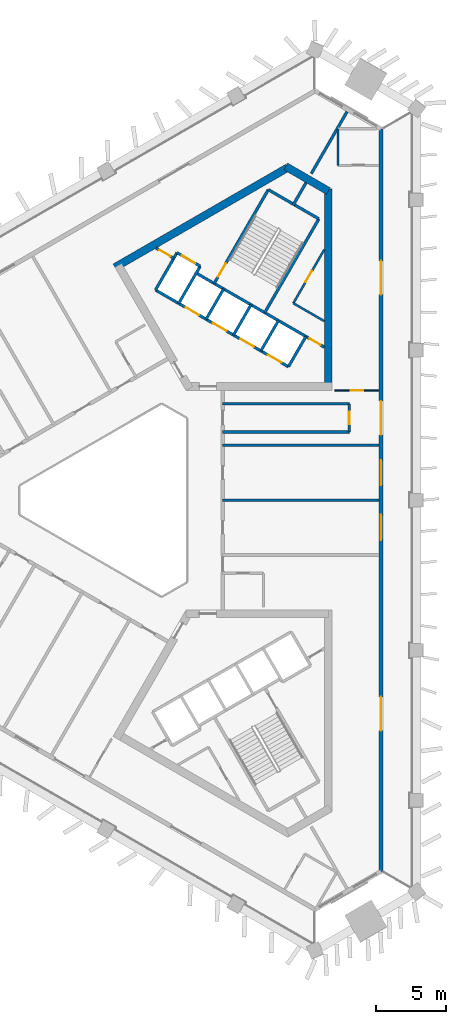
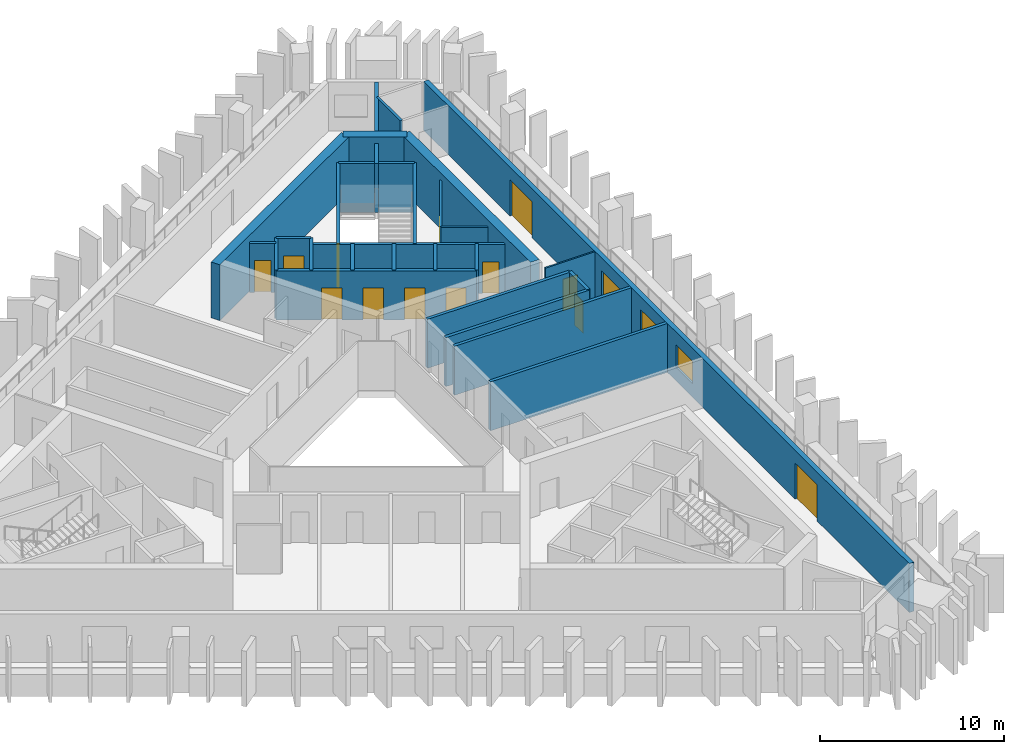
# One storey, part 5 of 9: 28 walls, 14 doors, 2 windows, 16 openings.
"""IFC4 building model written with IfcOpenShell, lengths in metres."""

import ifcopenshell
import ifcopenshell.guid

model = None  # the IFC model being written
_history = None  # IfcOwnerHistory: only IFC2X3 demands one
_inside = {}  # id of a spatial element -> (the spatial element, [elements in it])
_under = {}  # id of a project, library or spatial element -> (it, [spatial elements below it])
_declared = {}  # id of a project -> (the project, [libraries it declares])
_typed = {}  # id of a type object -> (the type object, [elements of that type])
_made_of = {}  # id of a material, layer set ... -> (it, [elements and type objects made of it])


def new_model(schema):
    """Start an empty IFC model of exactly this schema.

    Asked for "IFC4X3", IfcOpenShell would pick the latest addendum, in which some entities
    have other attributes; the version numbers below select the first issue.
    IFC2X3 requires an IfcOwnerHistory on every rooted entity: one is made here for all.
    """
    global model, _history
    if schema == "IFC4X3":
        model = ifcopenshell.file(schema_version=(4, 3, 0, 0))
    else:
        model = ifcopenshell.file(schema=schema)
    _inside.clear()
    _under.clear()
    _declared.clear()
    _typed.clear()
    _made_of.clear()
    _history = None
    if model.schema == "IFC2X3":
        org = make("IfcOrganization", Name="unknown")
        user = make(
            "IfcPersonAndOrganization",
            ThePerson=make("IfcPerson", FamilyName="unknown"),
            TheOrganization=org,
        )
        app = make(
            "IfcApplication",
            ApplicationDeveloper=org,
            Version="unknown",
            ApplicationFullName="unknown",
            ApplicationIdentifier="unknown",
        )
        _history = make(
            "IfcOwnerHistory",
            OwningUser=user,
            OwningApplication=app,
            ChangeAction="ADDED",
            CreationDate=0,
        )
    return model


def make(cls, **values):
    """One entity of the class cls with the attributes given. An attribute that is None is left unset."""
    return model.create_entity(
        cls, **{name: value for name, value in values.items() if value is not None}
    )


def rooted(cls, **values):
    """An entity with a GlobalId (a new one), such as an element, a storey or a relation."""
    return make(cls, GlobalId=ifcopenshell.guid.new(), OwnerHistory=_history, **values)


def si_unit(unit_type, name, prefix=None):
    """IfcSIUnit, for example si_unit("LENGTHUNIT", "METRE", prefix="MILLI")."""
    return make("IfcSIUnit", UnitType=unit_type, Prefix=prefix, Name=name)


def assignment(units):
    """IfcUnitAssignment: the units of a project."""
    return None if units is None else make("IfcUnitAssignment", Units=units)


def point(xyz):
    """IfcCartesianPoint."""
    return None if xyz is None else make("IfcCartesianPoint", Coordinates=xyz)


def direction(xyz):
    """IfcDirection."""
    return None if xyz is None else make("IfcDirection", DirectionRatios=xyz)


def frame(location, z_axis=None, x_axis=None):
    """IfcAxis2Placement3D, a coordinate frame: its origin and axes. An axis left out is left unset."""
    return make(
        "IfcAxis2Placement3D",
        Location=point(location),
        Axis=direction(z_axis),
        RefDirection=direction(x_axis),
    )


def frame_2d(location, x_axis=None):
    """IfcAxis2Placement2D, a coordinate frame in the plane: its origin and x axis."""
    return make(
        "IfcAxis2Placement2D", Location=point(location), RefDirection=direction(x_axis)
    )


def origin():
    """The frame at (0, 0, 0) with its axes left unset."""
    return frame((0.0, 0.0, 0.0))


def place(relative_to, where):
    """IfcLocalPlacement: puts the frame where relative to a parent placement (None: the world)."""
    return make(
        "IfcLocalPlacement", PlacementRelTo=relative_to, RelativePlacement=where
    )


def context(
    kind, dimensions, precision=None, world=None, true_north=None, identifier=None
):
    """IfcGeometricRepresentationContext, for example the 3D "Model" context."""
    return make(
        "IfcGeometricRepresentationContext",
        ContextIdentifier=identifier,
        ContextType=kind,
        CoordinateSpaceDimension=dimensions,
        Precision=precision,
        WorldCoordinateSystem=world,
        TrueNorth=true_north,
    )


def subcontext(parent, identifier, kind, view, scale=None):
    """IfcGeometricRepresentationSubContext, for example "Body" below "Model"."""
    return make(
        "IfcGeometricRepresentationSubContext",
        ContextIdentifier=identifier,
        ContextType=kind,
        ParentContext=parent,
        TargetScale=scale,
        TargetView=view,
    )


def project(units=None, contexts=None):
    """IfcProject with its units and contexts."""
    return rooted(
        "IfcProject",
        Name="project",
        RepresentationContexts=contexts,
        UnitsInContext=assignment(units),
    )


def spatial(cls, under=None, at=None, **own):
    """A site, building, storey or space (cls), placed at a placement, below another one or the project."""
    s = rooted(cls, ObjectPlacement=at, **own)
    if under is not None:
        _under.setdefault(under.id(), (under, []))[1].append(s)
    return s


def profile(cls, at=None, kind="AREA", **sizes):
    """A parametric profile (cls). Its sizes go by their IFC names, for example OverallWidth=200.0."""
    return make(cls, ProfileType=kind, Position=at, **sizes)


def rectangle(**sizes):
    """IfcRectangleProfileDef."""
    return profile("IfcRectangleProfileDef", **sizes)


def extrude(swept, where, along, depth):
    """IfcExtrudedAreaSolid: the profile swept, set in the frame where, extruded along a direction by depth."""
    return make(
        "IfcExtrudedAreaSolid",
        SweptArea=swept,
        Position=where,
        ExtrudedDirection=direction(along),
        Depth=depth,
    )


def shape(context_of_items, identifier, shape_type, items):
    """IfcShapeRepresentation: the items that make up one representation, for example the "Body"."""
    return make(
        "IfcShapeRepresentation",
        ContextOfItems=context_of_items,
        RepresentationIdentifier=identifier,
        RepresentationType=shape_type,
        Items=items,
    )


def material(Name=None, Category=None):
    """IfcMaterial."""
    return make("IfcMaterial", Name=Name, Category=Category)


def layer(
    of_material, thickness, ventilated=None, Name=None, Category=None, Priority=None
):
    """IfcMaterialLayer: one layer of a wall or slab, of a material (None: an air gap)."""
    return make(
        "IfcMaterialLayer",
        Material=of_material,
        LayerThickness=thickness,
        IsVentilated=ventilated,
        Name=Name,
        Category=Category,
        Priority=Priority,
    )


def layer_set(layers, Name=None):
    """IfcMaterialLayerSet."""
    return make("IfcMaterialLayerSet", MaterialLayers=layers, LayerSetName=Name)


def made_of(thing, what):
    """Note that an element or type object is made of a material, layer set ...; save() writes the relation."""
    if what is not None:
        _made_of.setdefault(what.id(), (what, []))[1].append(thing)
    return thing


def type_object(cls, material=None, **own):
    """A type object (cls), such as IfcWallType, which elements share."""
    return made_of(rooted(cls, **own), material)


def element(
    cls,
    number,
    at=None,
    inside=None,
    cuts=None,
    type_object=None,
    material=None,
    context=None,
    identifier="Body",
    shape_type=None,
    held_by="IfcProductDefinitionShape",
    body=None,
    shapes=None,
    **own,
):
    """One element of the class cls, such as IfcWall. Its Tag is "e" and its number.

    at: its placement. inside: the storey or other place that contains it. cuts: it is an
    opening in that element (IfcRelVoidsElement). A single representation is given by context,
    identifier, shape_type and body (its items); several are given by shapes. held_by: the class
    of the entity that holds the representations. save() writes the other relations.
    """
    e = rooted(cls, Tag="e%d" % number, ObjectPlacement=at, **own)
    if body is not None:
        shapes = [shape(context, identifier, shape_type, body)]
    if shapes is not None:
        e.Representation = make(held_by, Representations=shapes)
    if inside is not None:
        _inside.setdefault(inside.id(), (inside, []))[1].append(e)
    if cuts is not None:
        rooted(
            "IfcRelVoidsElement", RelatingBuildingElement=cuts, RelatedOpeningElement=e
        )
    if type_object is not None:
        _typed.setdefault(type_object.id(), (type_object, []))[1].append(e)
    return made_of(e, material)


def fill(opening, filler):
    """IfcRelFillsElement: the door or window that sits in an opening."""
    return rooted(
        "IfcRelFillsElement",
        RelatingOpeningElement=opening,
        RelatedBuildingElement=filler,
    )


def aggregate(whole, parts):
    """IfcRelAggregates: a whole, such as a stair, and the parts it consists of."""
    return rooted("IfcRelAggregates", RelatingObject=whole, RelatedObjects=parts)


def save(model, path):
    """Write the relations noted so far, then the file.

    IfcRelAggregates (storeys below a building ...), IfcRelContainedInSpatialStructure (elements
    in a storey), IfcRelDefinesByType, IfcRelAssociatesMaterial and IfcRelDeclares: one each for
    every whole, place, type object, material and project.
    """
    for whole, parts in _under.values():
        aggregate(whole, parts)
    for where, things in _inside.values():
        rooted(
            "IfcRelContainedInSpatialStructure",
            RelatedElements=things,
            RelatingStructure=where,
        )
    for kind, things in _typed.values():
        rooted("IfcRelDefinesByType", RelatedObjects=things, RelatingType=kind)
    for what, things in _made_of.values():
        rooted("IfcRelAssociatesMaterial", RelatedObjects=things, RelatingMaterial=what)
    for by, libraries in _declared.values():
        rooted("IfcRelDeclares", RelatingContext=by, RelatedDefinitions=libraries)
    model.write(path)


model = new_model("IFC4")

# Units and contexts
model_context = context("Model", 3, precision=1e-05, world=origin(), true_north=direction((0.0, 1.0)))
body_context = subcontext(model_context, "Body", "Model", "MODEL_VIEW")
ifc_project = project(units=[si_unit("LENGTHUNIT", "METRE"), si_unit("AREAUNIT", "SQUARE_METRE"), si_unit("VOLUMEUNIT", "CUBIC_METRE"), si_unit("PLANEANGLEUNIT", "RADIAN"), si_unit("MASSUNIT", "GRAM", prefix="KILO")], contexts=[model_context])

# Site, building, storey
site_placement = place(None, origin())
site = spatial("IfcSite", under=ifc_project, at=site_placement, CompositionType="ELEMENT")
building_placement = place(site_placement, origin())
building = spatial("IfcBuilding", under=site, at=building_placement, Name="Jabali Bay Hotel Tower and Convention Centre", CompositionType="ELEMENT")
storey_placement = place(building_placement, frame((0.0, 0.0, 185.89990234375)))
storey = spatial("IfcBuildingStorey", under=building, at=storey_placement, Name="L45", CompositionType="ELEMENT", Elevation=185.89990234375)

# Wall
ifc_material_1 = material(Name="Concrete C40", Category="concrete")
ifc_layer_1 = layer(ifc_material_1, 0.199951171875)
ifc_layer_set_1 = layer_set([ifc_layer_1], Name="Concrete C40")
wall_type_1 = type_object("IfcWallType", Name="Core partition wall 200", PredefinedType="PARTITIONING", material=ifc_layer_set_1)
wall_1_placement = place(storey_placement, frame((87.090087890625, 100.9404296875, 0.0), z_axis=(0.0, 0.0, 1.0), x_axis=(0.499951854219, 0.86605319898, 0.0)))
element("IfcWall", 1, at=wall_1_placement, inside=storey, type_object=wall_type_1, Name="Core wall 1.5 L45", PredefinedType="PARTITIONING", context=body_context, shape_type="SweptSolid", body=[
    extrude(rectangle(XDim=1.873291015625, YDim=0.199951171875, at=frame_2d((0.9365234375, 0.0))), origin(), (0.0, 0.0, 1.0), 3.25),
])

# Wall, opening, door
wall_2_placement = place(storey_placement, frame((78.630126953125, 97.187744140625, 0.0), z_axis=(0.0, 0.0, 1.0), x_axis=(-0.866003949776, 0.500037157592, 0.0)))
wall_2 = element("IfcWall", 2, at=wall_2_placement, inside=storey, type_object=wall_type_1, Name="Core wall 1.12 L45", PredefinedType="PARTITIONING", context=body_context, shape_type="SweptSolid", body=[
    extrude(rectangle(XDim=1.455078125, YDim=0.199951171875, at=frame_2d((0.7275390625, 0.0))), origin(), (0.0, 0.0, 1.0), 3.25),
])
opening_1_placement = place(wall_2_placement, frame((0.277587890625, 0.0, 0.0)))
opening_1 = element("IfcOpeningElement", 3, at=opening_1_placement, cuts=wall_2, Name="Opening D978", PredefinedType="OPENING", context=body_context, shape_type="SweptSolid", body=[
    extrude(rectangle(XDim=0.89990234375, YDim=2.10009765625, at=frame_2d((0.449951171875, 1.050048828125))), frame((0.0, 0.1103515625, 0.0), z_axis=(0.0, -1.0, 0.0), x_axis=(1.0, 0.0, 0.0)), (0.0, 0.0, 1.0), 0.220947265625),
])
ifc_material_2 = material(Name="Fire-rated steel door", Category="steel")
door_type_1 = type_object("IfcDoorType", Name="Vestibule fire door 900 x 2100", OperationType="NOTDEFINED", PredefinedType="NOTDEFINED", material=ifc_material_2)
door_1_placement = place(opening_1_placement, origin())
door_1 = element("IfcDoor", 4, at=door_1_placement, inside=storey, type_object=door_type_1, Name="Vestibule fire door D978", OperationType="SINGLE_SWING_LEFT", OverallHeight=2.10009765625, OverallWidth=0.89990234375, PredefinedType="NOTDEFINED", context=body_context, shape_type="SweptSolid", body=[
    extrude(rectangle(XDim=0.89990234375, YDim=2.10009765625, at=frame_2d((0.449951171875, 1.050048828125))), frame((0.0, 0.02490234375, 0.0), z_axis=(0.0, -1.0, 0.0), x_axis=(1.0, 0.0, 0.0)), (0.0, 0.0, 1.0), 0.050048828125),
])
fill(opening_1, door_1)

ifc_material_3 = material(Name="Fire-rated board partition")
ifc_layer_2 = layer(ifc_material_3, 0.14990234375)
ifc_layer_set_2 = layer_set([ifc_layer_2], Name="Fire-rated board partition")
wall_type_2 = type_object("IfcWallType", Name="Core room partition 150", PredefinedType="PARTITIONING", material=ifc_layer_set_2)
wall_3_placement = place(storey_placement, frame((87.12109375, 93.994384765625, 0.0), z_axis=(0.0, 0.0, 1.0), x_axis=(0.500014254795, 0.866017173618, 0.0)))
wall_3 = element("IfcWall", 5, at=wall_3_placement, inside=storey, type_object=wall_type_2, Name="Core wall 1.1 L45", PredefinedType="PARTITIONING", context=body_context, shape_type="SweptSolid", body=[
    extrude(rectangle(XDim=4.417724609375, YDim=0.14990234375, at=frame_2d((2.208984375, 0.0))), origin(), (0.0, 0.0, 1.0), 3.25),
])
opening_2_placement = place(wall_3_placement, frame((1.7314453125, 0.0, 0.0)))
opening_2 = element("IfcOpeningElement", 6, at=opening_2_placement, cuts=wall_3, Name="Opening D981", PredefinedType="OPENING", context=body_context, shape_type="SweptSolid", body=[
    extrude(rectangle(XDim=0.89990234375, YDim=2.10009765625, at=frame_2d((0.449951171875, 1.050048828125))), frame((0.0, 0.08544921875, 0.0), z_axis=(0.0, -1.0, 0.0), x_axis=(1.0, 0.0, 0.0)), (0.0, 0.0, 1.0), 0.1708984375),
])
door_type_2 = type_object("IfcDoorType", Name="Core room door 900 x 2100", OperationType="NOTDEFINED", PredefinedType="NOTDEFINED", material=ifc_material_2)
door_2_placement = place(opening_2_placement, origin())
door_2 = element("IfcDoor", 7, at=door_2_placement, inside=storey, type_object=door_type_2, Name="Core room door D981", OperationType="SINGLE_SWING_LEFT", OverallHeight=2.10009765625, OverallWidth=0.89990234375, PredefinedType="NOTDEFINED", context=body_context, shape_type="SweptSolid", body=[
    extrude(rectangle(XDim=0.89990234375, YDim=2.10009765625, at=frame_2d((0.449951171875, 1.050048828125))), frame((0.0, 0.02490234375, 0.0), z_axis=(0.0, -1.0, 0.0), x_axis=(1.0, 0.0, 0.0)), (0.0, 0.0, 1.0), 0.050048828125),
])
fill(opening_2, door_2)

# Walls
wall_4_placement = place(storey_placement, frame((89.330078125, 92.718994140625, 0.0), z_axis=(0.0, 0.0, 1.0), x_axis=(-0.866019818373, 0.500009674092, 0.0)))
element("IfcWall", 8, at=wall_4_placement, inside=storey, type_object=wall_type_2, Name="Core wall 1.14 L45", PredefinedType="PARTITIONING", context=body_context, shape_type="SweptSolid", body=[
    extrude(rectangle(XDim=2.55078125, YDim=0.14990234375, at=frame_2d((1.275390625, 0.0))), origin(), (0.0, 0.0, 1.0), 3.25),
])
ifc_layer_3 = layer(ifc_material_1, 0.199951171875)
ifc_layer_set_3 = layer_set([ifc_layer_3], Name="Concrete C40")
wall_type_3 = type_object("IfcWallType", Name="Core stair wall 200", PredefinedType="SOLIDWALL", material=ifc_layer_set_3)
for number, where, z_axis, x_axis, name in (
    (9, (86.769775390625, 89.48583984375, 0.0), (0.0, 0.0, 1.0), (0.499961042966, 0.86604789447, 0.0), "Core wall 1.0 L45"),
    (10, (84.8212890625, 90.61083984375, 0.0), (0.0, 0.0, 1.0), (0.499961042966, 0.86604789447, 0.0), "Core wall 1.2 L45"),
):
    element("IfcWall", number, at=place(storey_placement, frame(where, z_axis=z_axis, x_axis=x_axis)), inside=storey, type_object=wall_type_3, Name=name, PredefinedType="SOLIDWALL", context=body_context, shape_type="SweptSolid", body=[
        extrude(rectangle(XDim=2.480224609375, YDim=0.199951171875, at=frame_2d((1.240234375, 0.0))), origin(), (0.0, 0.0, 1.0), 3.25),
    ])
wall_5_placement = place(storey_placement, frame((85.0869140625, 93.3212890625, 0.0), z_axis=(0.0, 0.0, 1.0), x_axis=(0.500019787375, 0.866013979237, 0.0)))
element("IfcWall", 11, at=wall_5_placement, inside=storey, type_object=wall_type_3, Name="Core wall 1.3 L45", PredefinedType="SOLIDWALL", context=body_context, shape_type="SweptSolid", body=[
    extrude(rectangle(XDim=7.699951171875, YDim=0.199951171875, at=frame_2d((3.85009765625, 0.0))), origin(), (0.0, 0.0, 1.0), 3.25),
])
for number, where, z_axis, x_axis, name in (
    (12, (82.872802734375, 91.73583984375, 0.0), (0.0, 0.0, 1.0), (0.499961042966, 0.86604789447, 0.0), "Core wall 1.4 L45"),
    (13, (80.924072265625, 92.86083984375, 0.0), (0.0, 0.0, 1.0), (0.499961042966, 0.86604789447, 0.0), "Core wall 1.6 L45"),
):
    element("IfcWall", number, at=place(storey_placement, frame(where, z_axis=z_axis, x_axis=x_axis)), inside=storey, type_object=wall_type_3, Name=name, PredefinedType="SOLIDWALL", context=body_context, shape_type="SweptSolid", body=[
        extrude(rectangle(XDim=2.480224609375, YDim=0.199951171875, at=frame_2d((1.240234375, 0.0))), origin(), (0.0, 0.0, 1.0), 3.25),
    ])

# Wall, opening, door
wall_6_placement = place(storey_placement, frame((81.492919921875, 95.396240234375, 0.0), z_axis=(0.0, 0.0, 1.0), x_axis=(0.500006057782, 0.866021906294, 0.0)))
wall_6 = element("IfcWall", 14, at=wall_6_placement, inside=storey, type_object=wall_type_3, Name="Core wall 1.7 L45", PredefinedType="SOLIDWALL", context=body_context, shape_type="SweptSolid", body=[
    extrude(rectangle(XDim=7.7001953125, YDim=0.199951171875, at=frame_2d((3.85009765625, 0.0))), origin(), (0.0, 0.0, 1.0), 3.25),
])
opening_3_placement = place(wall_6_placement, frame((0.550048828125, 0.0, 0.0)))
opening_3 = element("IfcOpeningElement", 15, at=opening_3_placement, cuts=wall_6, Name="Opening D980", PredefinedType="OPENING", context=body_context, shape_type="SweptSolid", body=[
    extrude(rectangle(XDim=1.10009765625, YDim=2.10009765625, at=frame_2d((0.550048828125, 1.050048828125))), frame((0.0, 0.1103515625, 0.0), z_axis=(0.0, -1.0, 0.0), x_axis=(1.0, 0.0, 0.0)), (0.0, 0.0, 1.0), 0.220947265625),
])
door_type_3 = type_object("IfcDoorType", Name="Stair fire door 1100 x 2100", OperationType="NOTDEFINED", PredefinedType="NOTDEFINED", material=ifc_material_2)
door_3_placement = place(opening_3_placement, origin())
door_3 = element("IfcDoor", 16, at=door_3_placement, inside=storey, type_object=door_type_3, Name="Stair fire door D980", OperationType="SINGLE_SWING_RIGHT", OverallHeight=2.10009765625, OverallWidth=1.10009765625, PredefinedType="NOTDEFINED", context=body_context, shape_type="SweptSolid", body=[
    extrude(rectangle(XDim=1.10009765625, YDim=2.10009765625, at=frame_2d((0.550048828125, 1.050048828125))), frame((0.0, 0.02490234375, 0.0), z_axis=(0.0, -1.0, 0.0), x_axis=(1.0, 0.0, 0.0)), (0.0, 0.0, 1.0), 0.050048828125),
])
fill(opening_3, door_3)

# Walls
for number, where, z_axis, x_axis, name in (
    (17, (78.9755859375, 93.98583984375, 0.0), (0.0, 0.0, 1.0), (0.499944174705, 0.866057632134, 0.0), "Core wall 1.8 L45"),
    (18, (77.330078125, 94.93603515625, 0.0), (0.0, 0.0, 1.0), (0.500038867431, 0.8660029625, 0.0), "Core wall 1.9 L45"),
):
    element("IfcWall", number, at=place(storey_placement, frame(where, z_axis=z_axis, x_axis=x_axis)), inside=storey, type_object=wall_type_3, Name=name, PredefinedType="SOLIDWALL", context=body_context, shape_type="SweptSolid", body=[
        extrude(rectangle(XDim=3.050048828125, YDim=0.199951171875, at=frame_2d((1.52490234375, 0.0))), origin(), (0.0, 0.0, 1.0), 3.25),
    ])

# Wall, openings, doors
wall_7_placement = place(storey_placement, frame((86.769775390625, 89.48583984375, 0.0), z_axis=(0.0, 0.0, 1.0), x_axis=(-0.86601811187, 0.500012629753, 0.0)))
wall_7 = element("IfcWall", 19, at=wall_7_placement, inside=storey, type_object=wall_type_3, Name="Core wall 1.10 L45", PredefinedType="SOLIDWALL", context=body_context, shape_type="SweptSolid", body=[
    extrude(rectangle(XDim=10.900146484375, YDim=0.199951171875, at=frame_2d((5.4501953125, 0.0))), origin(), (0.0, 0.0, 1.0), 3.25),
])
opening_4_placement = place(wall_7_placement, frame((0.574951171875, 0.0, 0.0)))
opening_4 = element("IfcOpeningElement", 20, at=opening_4_placement, cuts=wall_7, Name="Opening LD6-L45", PredefinedType="OPENING", context=body_context, shape_type="SweptSolid", body=[
    extrude(rectangle(XDim=1.10009765625, YDim=2.10009765625, at=frame_2d((0.550048828125, 1.050048828125))), frame((0.0, 0.1103515625, 0.0), z_axis=(0.0, -1.0, 0.0), x_axis=(1.0, 0.0, 0.0)), (0.0, 0.0, 1.0), 0.220947265625),
])
opening_5_placement = place(wall_7_placement, frame((2.824951171875, 0.0, 0.0)))
opening_5 = element("IfcOpeningElement", 21, at=opening_5_placement, cuts=wall_7, Name="Opening LD7-L45", PredefinedType="OPENING", context=body_context, shape_type="SweptSolid", body=[
    extrude(rectangle(XDim=1.10009765625, YDim=2.10009765625, at=frame_2d((0.550048828125, 1.050048828125))), frame((0.0, 0.1103515625, 0.0), z_axis=(0.0, -1.0, 0.0), x_axis=(1.0, 0.0, 0.0)), (0.0, 0.0, 1.0), 0.220947265625),
])
opening_6_placement = place(wall_7_placement, frame((5.074951171875, 0.0, 0.0)))
opening_6 = element("IfcOpeningElement", 22, at=opening_6_placement, cuts=wall_7, Name="Opening LD8-L45", PredefinedType="OPENING", context=body_context, shape_type="SweptSolid", body=[
    extrude(rectangle(XDim=1.10009765625, YDim=2.10009765625, at=frame_2d((0.550048828125, 1.050048828125))), frame((0.0, 0.1103515625, 0.0), z_axis=(0.0, -1.0, 0.0), x_axis=(1.0, 0.0, 0.0)), (0.0, 0.0, 1.0), 0.220947265625),
])
opening_7_placement = place(wall_7_placement, frame((7.324951171875, 0.0, 0.0)))
opening_7 = element("IfcOpeningElement", 23, at=opening_7_placement, cuts=wall_7, Name="Opening LD9-L45", PredefinedType="OPENING", context=body_context, shape_type="SweptSolid", body=[
    extrude(rectangle(XDim=1.10009765625, YDim=2.10009765625, at=frame_2d((0.550048828125, 1.050048828125))), frame((0.0, 0.1103515625, 0.0), z_axis=(0.0, -1.0, 0.0), x_axis=(1.0, 0.0, 0.0)), (0.0, 0.0, 1.0), 0.220947265625),
])
ifc_material_4 = material(Name="Stainless steel landing door", Category="steel")
door_type_4 = type_object("IfcDoorType", Name="Landing door 1100 x 2100", OperationType="NOTDEFINED", PredefinedType="NOTDEFINED", material=ifc_material_4)
door_4_placement = place(opening_4_placement, origin())
door_4 = element("IfcDoor", 24, at=door_4_placement, inside=storey, type_object=door_type_4, Name="Landing doors LD6-L45", OperationType="SLIDING_TO_RIGHT", OverallHeight=2.10009765625, OverallWidth=1.10009765625, PredefinedType="NOTDEFINED", context=body_context, shape_type="SweptSolid", body=[
    extrude(rectangle(XDim=1.10009765625, YDim=2.10009765625, at=frame_2d((0.550048828125, 1.050048828125))), frame((0.0, 0.02490234375, 0.0), z_axis=(0.0, -1.0, 0.0), x_axis=(1.0, 0.0, 0.0)), (0.0, 0.0, 1.0), 0.050048828125),
])
fill(opening_4, door_4)
door_5_placement = place(opening_5_placement, origin())
door_5 = element("IfcDoor", 25, at=door_5_placement, inside=storey, type_object=door_type_4, Name="Landing doors LD7-L45", OperationType="SLIDING_TO_LEFT", OverallHeight=2.10009765625, OverallWidth=1.10009765625, PredefinedType="NOTDEFINED", context=body_context, shape_type="SweptSolid", body=[
    extrude(rectangle(XDim=1.10009765625, YDim=2.10009765625, at=frame_2d((0.550048828125, 1.050048828125))), frame((0.0, 0.02490234375, 0.0), z_axis=(0.0, -1.0, 0.0), x_axis=(1.0, 0.0, 0.0)), (0.0, 0.0, 1.0), 0.050048828125),
])
fill(opening_5, door_5)
door_6_placement = place(opening_6_placement, origin())
door_6 = element("IfcDoor", 26, at=door_6_placement, inside=storey, type_object=door_type_4, Name="Landing doors LD8-L45", OperationType="SLIDING_TO_RIGHT", OverallHeight=2.10009765625, OverallWidth=1.10009765625, PredefinedType="NOTDEFINED", context=body_context, shape_type="SweptSolid", body=[
    extrude(rectangle(XDim=1.10009765625, YDim=2.10009765625, at=frame_2d((0.550048828125, 1.050048828125))), frame((0.0, 0.02490234375, 0.0), z_axis=(0.0, -1.0, 0.0), x_axis=(1.0, 0.0, 0.0)), (0.0, 0.0, 1.0), 0.050048828125),
])
fill(opening_6, door_6)
door_7_placement = place(opening_7_placement, origin())
door_7 = element("IfcDoor", 27, at=door_7_placement, inside=storey, type_object=door_type_4, Name="Landing doors LD9-L45", OperationType="SLIDING_TO_LEFT", OverallHeight=2.10009765625, OverallWidth=1.10009765625, PredefinedType="NOTDEFINED", context=body_context, shape_type="SweptSolid", body=[
    extrude(rectangle(XDim=1.10009765625, YDim=2.10009765625, at=frame_2d((0.550048828125, 1.050048828125))), frame((0.0, 0.02490234375, 0.0), z_axis=(0.0, -1.0, 0.0), x_axis=(1.0, 0.0, 0.0)), (0.0, 0.0, 1.0), 0.050048828125),
])
fill(opening_7, door_7)

# Wall, opening, door
wall_8_placement = place(storey_placement, frame((89.330078125, 90.87158203125, 0.0), z_axis=(0.0, 0.0, 1.0), x_axis=(-0.866027589512, 0.49999621419, 0.0)))
wall_8 = element("IfcWall", 28, at=wall_8_placement, inside=storey, type_object=wall_type_3, Name="Core wall 1.11 L45", PredefinedType="SOLIDWALL", context=body_context, shape_type="SweptSolid", body=[
    extrude(rectangle(XDim=10.5244140625, YDim=0.199951171875, at=frame_2d((5.26220703125, 0.0))), origin(), (0.0, 0.0, 1.0), 3.25),
])
opening_8_placement = place(wall_8_placement, frame((0.312255859375, 0.0, 0.0)))
opening_8 = element("IfcOpeningElement", 29, at=opening_8_placement, cuts=wall_8, Name="Opening D979", PredefinedType="OPENING", context=body_context, shape_type="SweptSolid", body=[
    extrude(rectangle(XDim=0.89990234375, YDim=2.10009765625, at=frame_2d((0.449951171875, 1.050048828125))), frame((0.0, 0.1103515625, 0.0), z_axis=(0.0, -1.0, 0.0), x_axis=(1.0, 0.0, 0.0)), (0.0, 0.0, 1.0), 0.220947265625),
])
door_8_placement = place(opening_8_placement, origin())
door_8 = element("IfcDoor", 30, at=door_8_placement, inside=storey, type_object=door_type_1, Name="Vestibule fire door D979", OperationType="SINGLE_SWING_LEFT", OverallHeight=2.10009765625, OverallWidth=0.89990234375, PredefinedType="NOTDEFINED", context=body_context, shape_type="SweptSolid", body=[
    extrude(rectangle(XDim=0.89990234375, YDim=2.10009765625, at=frame_2d((0.449951171875, 1.050048828125))), frame((0.0, 0.02490234375, 0.0), z_axis=(0.0, -1.0, 0.0), x_axis=(1.0, 0.0, 0.0)), (0.0, 0.0, 1.0), 0.050048828125),
])
fill(opening_8, door_8)

wall_9_placement = place(storey_placement, frame((80.50048828125, 96.62744140625, 0.0), z_axis=(0.0, 0.0, 1.0), x_axis=(-0.86601224135, 0.500022797313, 0.0)))
wall_9 = element("IfcWall", 31, at=wall_9_placement, inside=storey, type_object=wall_type_3, Name="Core wall 1.13 L45", PredefinedType="SOLIDWALL", context=body_context, shape_type="SweptSolid", body=[
    extrude(rectangle(XDim=1.89990234375, YDim=0.199951171875, at=frame_2d((0.949951171875, 0.0))), origin(), (0.0, 0.0, 1.0), 3.25),
])
opening_9_placement = place(wall_9_placement, frame((0.39990234375, 0.0, 0.0)))
opening_9 = element("IfcOpeningElement", 32, at=opening_9_placement, cuts=wall_9, Name="Opening LD10-L45", PredefinedType="OPENING", context=body_context, shape_type="SweptSolid", body=[
    extrude(rectangle(XDim=1.10009765625, YDim=2.10009765625, at=frame_2d((0.550048828125, 1.050048828125))), frame((0.0, 0.1103515625, 0.0), z_axis=(0.0, -1.0, 0.0), x_axis=(1.0, 0.0, 0.0)), (0.0, 0.0, 1.0), 0.220947265625),
])
door_9_placement = place(opening_9_placement, origin())
door_9 = element("IfcDoor", 33, at=door_9_placement, inside=storey, type_object=door_type_4, Name="Landing doors LD10-L45", OperationType="SLIDING_TO_RIGHT", OverallHeight=2.10009765625, OverallWidth=1.10009765625, PredefinedType="NOTDEFINED", context=body_context, shape_type="SweptSolid", body=[
    extrude(rectangle(XDim=1.10009765625, YDim=2.10009765625, at=frame_2d((0.550048828125, 1.050048828125))), frame((0.0, 0.02490234375, 0.0), z_axis=(0.0, -1.0, 0.0), x_axis=(1.0, 0.0, 0.0)), (0.0, 0.0, 1.0), 0.050048828125),
])
fill(opening_9, door_9)

# Walls
wall_10_placement = place(storey_placement, frame((88.93701171875, 99.989501953125, 0.0), z_axis=(0.0, 0.0, 1.0), x_axis=(-0.866004344652, 0.500036473714, 0.0)))
element("IfcWall", 34, at=wall_10_placement, inside=storey, type_object=wall_type_3, Name="Core wall 1.15 L45", PredefinedType="SOLIDWALL", context=body_context, shape_type="SweptSolid", body=[
    extrude(rectangle(XDim=4.150146484375, YDim=0.199951171875, at=frame_2d((2.0751953125, 0.0))), origin(), (0.0, 0.0, 1.0), 3.25),
])
ifc_material_5 = material(Name="Concrete C60", Category="concrete")
ifc_layer_4 = layer(ifc_material_5, 0.550048828125)
ifc_layer_set_4 = layer_set([ifc_layer_4], Name="Concrete C60")
wall_type_4 = type_object("IfcWallType", Name="Core wall 550", PredefinedType="SHEAR", material=ifc_layer_set_4)
wall_11_placement = place(storey_placement, frame((89.60498046875, 88.0693359375, 0.0), z_axis=(0.0, 0.0, 1.0), x_axis=(0.0, 1.0, 0.0)))
element("IfcWall", 35, at=wall_11_placement, inside=storey, type_object=wall_type_4, Name="Core wall 2.2 L45", PredefinedType="SHEAR", context=body_context, shape_type="SweptSolid", body=[
    extrude(rectangle(XDim=14.058349609375, YDim=0.550048828125, at=frame_2d((7.029296875, 0.0))), origin(), (0.0, 0.0, 1.0), 3.7001953125),
])
wall_12_placement = place(storey_placement, frame((89.60498046875, 101.96875, 0.0), z_axis=(0.0, 0.0, 1.0), x_axis=(-0.865997833373, 0.500047750313, 0.0)))
element("IfcWall", 36, at=wall_12_placement, inside=storey, type_object=wall_type_4, Name="Core wall 2.3 L45", PredefinedType="SHEAR", context=body_context, shape_type="SweptSolid", body=[
    extrude(rectangle(XDim=3.486572265625, YDim=0.550048828125, at=frame_2d((1.7431640625, 0.0))), origin(), (0.0, 0.0, 1.0), 3.7001953125),
])
wall_13_placement = place(storey_placement, frame((86.72314453125, 103.6328125, 0.0), z_axis=(0.0, 0.0, 1.0), x_axis=(-0.866023530946, -0.500003243837, 0.0)))
element("IfcWall", 37, at=wall_13_placement, inside=storey, type_object=wall_type_4, Name="Core wall 2.4 L45", PredefinedType="SHEAR", context=body_context, shape_type="SweptSolid", body=[
    extrude(rectangle(XDim=14.1748046875, YDim=0.550048828125, at=frame_2d((7.08740234375, 0.0))), origin(), (0.0, 0.0, 1.0), 3.7001953125),
])

# Wall, openings, doors, windows
ifc_layer_5 = layer(ifc_material_1, 0.300048828125)
ifc_layer_set_5 = layer_set([ifc_layer_5], Name="Concrete C40")
wall_type_5 = type_object("IfcWallType", Name="External wall 300", PredefinedType="SOLIDWALL", material=ifc_layer_set_5)
wall_14_placement = place(storey_placement, frame((93.3525390625, 106.38818359375, 0.0), z_axis=(0.0, 0.0, 1.0), x_axis=(0.0, -1.0, 0.0)))
wall_14 = element("IfcWall", 38, at=wall_14_placement, inside=storey, type_object=wall_type_5, Name="External wall east face L45", PredefinedType="SOLIDWALL", context=body_context, shape_type="SweptSolid", body=[
    extrude(rectangle(XDim=52.7763671875, YDim=0.300048828125, at=frame_2d((26.38818359375, 0.0))), origin(), (0.0, 0.0, 1.0), 3.25),
])
opening_10_placement = place(wall_14_placement, frame((19.342529296875, 0.0, 0.0)))
opening_10 = element("IfcOpeningElement", 39, at=opening_10_placement, cuts=wall_14, Name="Opening SD1", PredefinedType="OPENING", context=body_context, shape_type="SweptSolid", body=[
    extrude(rectangle(XDim=2.39990234375, YDim=2.39990234375, at=frame_2d((1.199951171875, 1.199951171875))), frame((0.0, 0.16064453125, 0.0), z_axis=(0.0, -1.0, 0.0), x_axis=(1.0, 0.0, 0.0)), (0.0, 0.0, 1.0), 0.321044921875),
])
opening_11_placement = place(wall_14_placement, frame((9.384765625, 0.0, 0.0)))
opening_11 = element("IfcOpeningElement", 40, at=opening_11_placement, cuts=wall_14, Name="Opening SD1", PredefinedType="OPENING", context=body_context, shape_type="SweptSolid", body=[
    extrude(rectangle(XDim=2.39990234375, YDim=2.39990234375, at=frame_2d((1.199951171875, 1.199951171875))), frame((0.0, 0.16064453125, 0.0), z_axis=(0.0, -1.0, 0.0), x_axis=(1.0, 0.0, 0.0)), (0.0, 0.0, 1.0), 0.321044921875),
])
opening_12_placement = place(wall_14_placement, frame((40.3740234375, 0.0, 0.0)))
opening_12 = element("IfcOpeningElement", 41, at=opening_12_placement, cuts=wall_14, Name="Opening SD1", PredefinedType="OPENING", context=body_context, shape_type="SweptSolid", body=[
    extrude(rectangle(XDim=2.39990234375, YDim=2.39990234375, at=frame_2d((1.199951171875, 1.199951171875))), frame((0.0, 0.16064453125, 0.0), z_axis=(0.0, -1.0, 0.0), x_axis=(1.0, 0.0, 0.0)), (0.0, 0.0, 1.0), 0.321044921875),
])
opening_13_placement = place(wall_14_placement, frame((27.4365234375, 0.0, 0.89990234375)))
opening_13 = element("IfcOpeningElement", 42, at=opening_13_placement, cuts=wall_14, Name="Opening W1", PredefinedType="OPENING", context=body_context, shape_type="SweptSolid", body=[
    extrude(rectangle(XDim=1.800048828125, YDim=1.5, at=frame_2d((0.89990234375, 0.75))), frame((0.0, 0.16064453125, 0.0), z_axis=(0.0, -1.0, 0.0), x_axis=(1.0, 0.0, 0.0)), (0.0, 0.0, 1.0), 0.321044921875),
])
opening_14_placement = place(wall_14_placement, frame((23.53955078125, 0.0, 0.89990234375)))
opening_14 = element("IfcOpeningElement", 43, at=opening_14_placement, cuts=wall_14, Name="Opening W1", PredefinedType="OPENING", context=body_context, shape_type="SweptSolid", body=[
    extrude(rectangle(XDim=1.800048828125, YDim=1.5, at=frame_2d((0.89990234375, 0.75))), frame((0.0, 0.16064453125, 0.0), z_axis=(0.0, -1.0, 0.0), x_axis=(1.0, 0.0, 0.0)), (0.0, 0.0, 1.0), 0.321044921875),
])
ifc_material_6 = material(Name="Glass", Category="glass")
door_type_5 = type_object("IfcDoorType", Name="Loggia sliding door 2400 x 2400", OperationType="NOTDEFINED", PredefinedType="NOTDEFINED", material=ifc_material_6)
door_10_placement = place(opening_10_placement, origin())
door_10 = element("IfcDoor", 44, at=door_10_placement, inside=storey, type_object=door_type_5, Name="Loggia sliding door 4504", OperationType="SLIDING_TO_LEFT", OverallHeight=2.39990234375, OverallWidth=2.39990234375, PredefinedType="NOTDEFINED", context=body_context, shape_type="SweptSolid", body=[
    extrude(rectangle(XDim=2.39990234375, YDim=2.39990234375, at=frame_2d((1.199951171875, 1.199951171875))), frame((0.0, 0.02490234375, 0.0), z_axis=(0.0, -1.0, 0.0), x_axis=(1.0, 0.0, 0.0)), (0.0, 0.0, 1.0), 0.050048828125),
])
fill(opening_10, door_10)
door_11_placement = place(opening_11_placement, origin())
door_11 = element("IfcDoor", 45, at=door_11_placement, inside=storey, type_object=door_type_5, Name="Loggia sliding door 4504", OperationType="SLIDING_TO_RIGHT", OverallHeight=2.39990234375, OverallWidth=2.39990234375, PredefinedType="NOTDEFINED", context=body_context, shape_type="SweptSolid", body=[
    extrude(rectangle(XDim=2.39990234375, YDim=2.39990234375, at=frame_2d((1.199951171875, 1.199951171875))), frame((0.0, 0.02490234375, 0.0), z_axis=(0.0, -1.0, 0.0), x_axis=(1.0, 0.0, 0.0)), (0.0, 0.0, 1.0), 0.050048828125),
])
fill(opening_11, door_11)
door_12_placement = place(opening_12_placement, origin())
door_12 = element("IfcDoor", 46, at=door_12_placement, inside=storey, type_object=door_type_5, Name="Loggia sliding door 4501", OperationType="SLIDING_TO_LEFT", OverallHeight=2.39990234375, OverallWidth=2.39990234375, PredefinedType="NOTDEFINED", context=body_context, shape_type="SweptSolid", body=[
    extrude(rectangle(XDim=2.39990234375, YDim=2.39990234375, at=frame_2d((1.199951171875, 1.199951171875))), frame((0.0, 0.02490234375, 0.0), z_axis=(0.0, -1.0, 0.0), x_axis=(1.0, 0.0, 0.0)), (0.0, 0.0, 1.0), 0.050048828125),
])
fill(opening_12, door_12)
window_type = type_object("IfcWindowType", Name="Window 1800 x 1500", PartitioningType="SINGLE_PANEL", PredefinedType="WINDOW", material=ifc_material_6)
window_1_placement = place(opening_13_placement, origin())
window_1 = element("IfcWindow", 47, at=window_1_placement, inside=storey, type_object=window_type, Name="Window 4502", OverallHeight=1.5, OverallWidth=1.800048828125, PartitioningType="SINGLE_PANEL", PredefinedType="WINDOW", context=body_context, shape_type="SweptSolid", body=[
    extrude(rectangle(XDim=1.800048828125, YDim=1.5, at=frame_2d((0.89990234375, 0.75))), frame((0.0, 0.030029296875, 0.0), z_axis=(0.0, -1.0, 0.0), x_axis=(1.0, 0.0, 0.0)), (0.0, 0.0, 1.0), 0.06005859375),
])
fill(opening_13, window_1)
window_2_placement = place(opening_14_placement, origin())
window_2 = element("IfcWindow", 48, at=window_2_placement, inside=storey, type_object=window_type, Name="Window 4503", OverallHeight=1.5, OverallWidth=1.800048828125, PartitioningType="SINGLE_PANEL", PredefinedType="WINDOW", context=body_context, shape_type="SweptSolid", body=[
    extrude(rectangle(XDim=1.800048828125, YDim=1.5, at=frame_2d((0.89990234375, 0.75))), frame((0.0, 0.030029296875, 0.0), z_axis=(0.0, -1.0, 0.0), x_axis=(1.0, 0.0, 0.0)), (0.0, 0.0, 1.0), 0.06005859375),
])
fill(opening_14, window_2)

# Wall, opening, door
ifc_material_7 = material(Name="Plasterboard on steel stud", Category="steel")
ifc_layer_6 = layer(ifc_material_7, 0.10009765625)
ifc_layer_set_6 = layer_set([ifc_layer_6], Name="Plasterboard on steel stud")
wall_type_6 = type_object("IfcWallType", Name="Partition 100 unit", PredefinedType="PARTITIONING", material=ifc_layer_set_6)
wall_15_placement = place(storey_placement, frame((93.20361328125, 87.794189453125, 0.0), z_axis=(0.0, 0.0, 1.0), x_axis=(-1.0, 0.0, 0.0)))
wall_15 = element("IfcWall", 49, at=wall_15_placement, inside=storey, type_object=wall_type_6, Name="Partition P02 L45 007", PredefinedType="PARTITIONING", context=body_context, shape_type="SweptSolid", body=[
    extrude(rectangle(XDim=3.12451171875, YDim=0.10009765625, at=frame_2d((1.562255859375, 0.0))), origin(), (0.0, 0.0, 1.0), 3.25),
])
opening_15_placement = place(wall_15_placement, frame((1.112060546875, 0.0, 0.0)))
opening_15 = element("IfcOpeningElement", 50, at=opening_15_placement, cuts=wall_15, Name="Opening 4506", PredefinedType="OPENING", context=body_context, shape_type="SweptSolid", body=[
    extrude(rectangle(XDim=0.89990234375, YDim=2.10009765625, at=frame_2d((0.449951171875, 1.050048828125))), frame((0.0, 0.060546875, 0.0), z_axis=(0.0, -1.0, 0.0), x_axis=(1.0, 0.0, 0.0)), (0.0, 0.0, 1.0), 0.12109375),
])
ifc_material_8 = material(Name="Timber", Category="wood")
door_type_6 = type_object("IfcDoorType", Name="Internal door 900 x 2100", OperationType="NOTDEFINED", PredefinedType="NOTDEFINED", material=ifc_material_8)
door_13_placement = place(opening_15_placement, origin())
door_13 = element("IfcDoor", 51, at=door_13_placement, inside=storey, type_object=door_type_6, Name="Door 4506", OperationType="SINGLE_SWING_LEFT", OverallHeight=2.10009765625, OverallWidth=0.89990234375, PredefinedType="NOTDEFINED", context=body_context, shape_type="SweptSolid", body=[
    extrude(rectangle(XDim=0.89990234375, YDim=2.10009765625, at=frame_2d((0.449951171875, 1.050048828125))), frame((0.0, 0.02490234375, 0.0), z_axis=(0.0, -1.0, 0.0), x_axis=(1.0, 0.0, 0.0)), (0.0, 0.0, 1.0), 0.050048828125),
])
fill(opening_15, door_13)

# Walls
ifc_layer_7 = layer(ifc_material_7, 0.14990234375)
ifc_layer_set_7 = layer_set([ifc_layer_7], Name="Plasterboard on steel stud")
wall_type_7 = type_object("IfcWallType", Name="Partition 150 wet", PredefinedType="PARTITIONING", material=ifc_layer_set_7)
wall_16_placement = place(storey_placement, frame((90.301513671875, 103.794189453125, 0.0), z_axis=(0.0, 0.0, 1.0), x_axis=(0.0, 1.0, 0.0)))
element("IfcWall", 52, at=wall_16_placement, inside=storey, type_object=wall_type_7, Name="Partition P03 L45 012", PredefinedType="PARTITIONING", context=body_context, shape_type="SweptSolid", body=[
    extrude(rectangle(XDim=2.60009765625, YDim=0.14990234375, at=frame_2d((1.300048828125, 0.0))), origin(), (0.0, 0.0, 1.0), 3.25),
])
ifc_layer_8 = layer(ifc_material_7, 0.199951171875)
ifc_layer_set_8 = layer_set([ifc_layer_8], Name="Plasterboard on steel stud")
wall_type_8 = type_object("IfcWallType", Name="Partition 200 party", PredefinedType="PARTITIONING", material=ifc_layer_set_8)
for number, where, z_axis, x_axis, name in (
    (53, (93.20361328125, 80.0, 0.0), (0.0, 0.0, 1.0), (-1.0, 0.0, 0.0), "Partition P01 L45 005"),
    (54, (93.20361328125, 83.897216796875, 0.0), (0.0, 0.0, 1.0), (-1.0, 0.0, 0.0), "Partition P01 L45 006"),
):
    element("IfcWall", number, at=place(storey_placement, frame(where, z_axis=z_axis, x_axis=x_axis)), inside=storey, type_object=wall_type_8, Name=name, PredefinedType="PARTITIONING", context=body_context, shape_type="SweptSolid", body=[
        extrude(rectangle(XDim=11.103515625, YDim=0.199951171875, at=frame_2d((5.5517578125, 0.0))), origin(), (0.0, 0.0, 1.0), 3.25),
    ])
wall_17_placement = place(storey_placement, frame((82.10009765625, 86.845703125, 0.0), z_axis=(0.0, 0.0, 1.0), x_axis=(1.0, 0.0, 0.0)))
element("IfcWall", 55, at=wall_17_placement, inside=storey, type_object=wall_type_8, Name="Partition P01 L45 008", PredefinedType="PARTITIONING", context=body_context, shape_type="SweptSolid", body=[
    extrude(rectangle(XDim=9.0, YDim=0.199951171875, at=frame_2d((4.5, 0.0))), origin(), (0.0, 0.0, 1.0), 3.25),
])

# Wall, opening, door
wall_18_placement = place(storey_placement, frame((91.10009765625, 86.845703125, 0.0), z_axis=(0.0, 0.0, 1.0), x_axis=(0.0, -1.0, 0.0)))
wall_18 = element("IfcWall", 56, at=wall_18_placement, inside=storey, type_object=wall_type_8, Name="Partition P01 L45 009", PredefinedType="PARTITIONING", context=body_context, shape_type="SweptSolid", body=[
    extrude(rectangle(XDim=2.0, YDim=0.199951171875, at=frame_2d((1.0, 0.0))), origin(), (0.0, 0.0, 1.0), 3.25),
])
opening_16_placement = place(wall_18_placement, frame((0.550048828125, 0.0, 0.0)))
opening_16 = element("IfcOpeningElement", 57, at=opening_16_placement, cuts=wall_18, Name="Opening 4508", PredefinedType="OPENING", context=body_context, shape_type="SweptSolid", body=[
    extrude(rectangle(XDim=0.89990234375, YDim=2.10009765625, at=frame_2d((0.449951171875, 1.050048828125))), frame((0.0, 0.1103515625, 0.0), z_axis=(0.0, -1.0, 0.0), x_axis=(1.0, 0.0, 0.0)), (0.0, 0.0, 1.0), 0.220947265625),
])
door_14_placement = place(opening_16_placement, origin())
door_14 = element("IfcDoor", 58, at=door_14_placement, inside=storey, type_object=door_type_6, Name="Door 4508", OperationType="SINGLE_SWING_RIGHT", OverallHeight=2.10009765625, OverallWidth=0.89990234375, PredefinedType="NOTDEFINED", context=body_context, shape_type="SweptSolid", body=[
    extrude(rectangle(XDim=0.89990234375, YDim=2.10009765625, at=frame_2d((0.449951171875, 1.050048828125))), frame((0.0, 0.02490234375, 0.0), z_axis=(0.0, -1.0, 0.0), x_axis=(1.0, 0.0, 0.0)), (0.0, 0.0, 1.0), 0.050048828125),
])
fill(opening_16, door_14)

# Walls
wall_19_placement = place(storey_placement, frame((91.10009765625, 84.845703125, 0.0), z_axis=(0.0, 0.0, 1.0), x_axis=(-1.0, 0.0, 0.0)))
element("IfcWall", 59, at=wall_19_placement, inside=storey, type_object=wall_type_8, Name="Partition P01 L45 010", PredefinedType="PARTITIONING", context=body_context, shape_type="SweptSolid", body=[
    extrude(rectangle(XDim=9.0, YDim=0.199951171875, at=frame_2d((4.5, 0.0))), origin(), (0.0, 0.0, 1.0), 3.25),
])
wall_20_placement = place(storey_placement, frame((90.94091796875, 107.6083984375, 0.0), z_axis=(0.0, 0.0, 1.0), x_axis=(-0.500006836656, -0.866021456604, 0.0)))
element("IfcWall", 60, at=wall_20_placement, inside=storey, type_object=wall_type_8, Name="Partition P01 L45 014", PredefinedType="PARTITIONING", context=body_context, shape_type="SweptSolid", body=[
    extrude(rectangle(XDim=5.078125, YDim=0.199951171875, at=frame_2d((2.5390625, 0.0))), origin(), (0.0, 0.0, 1.0), 3.25),
])

save(model, "model.ifc")
